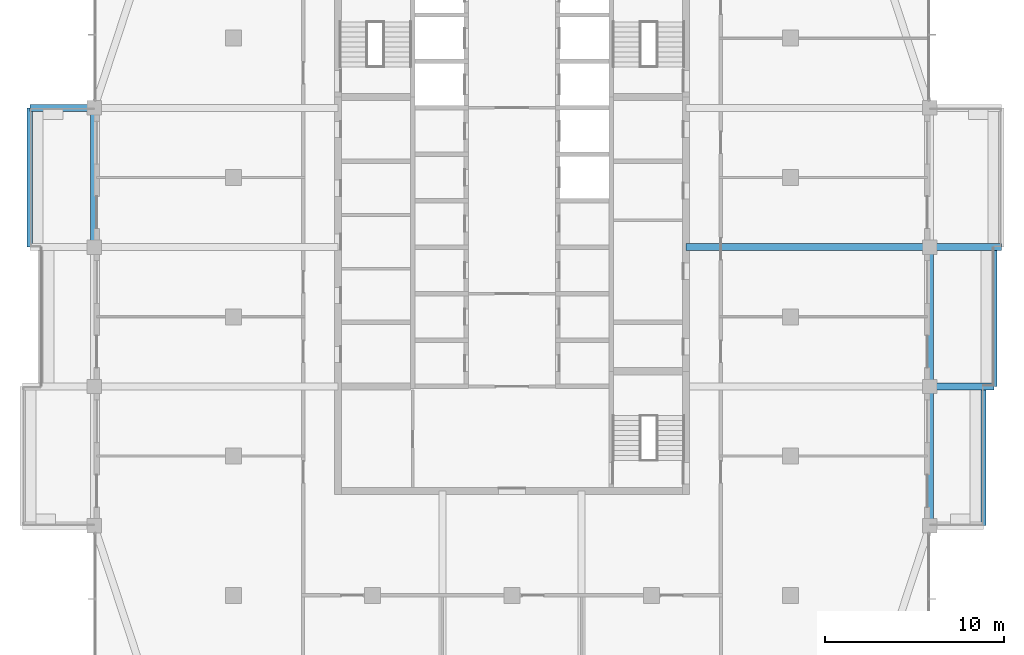
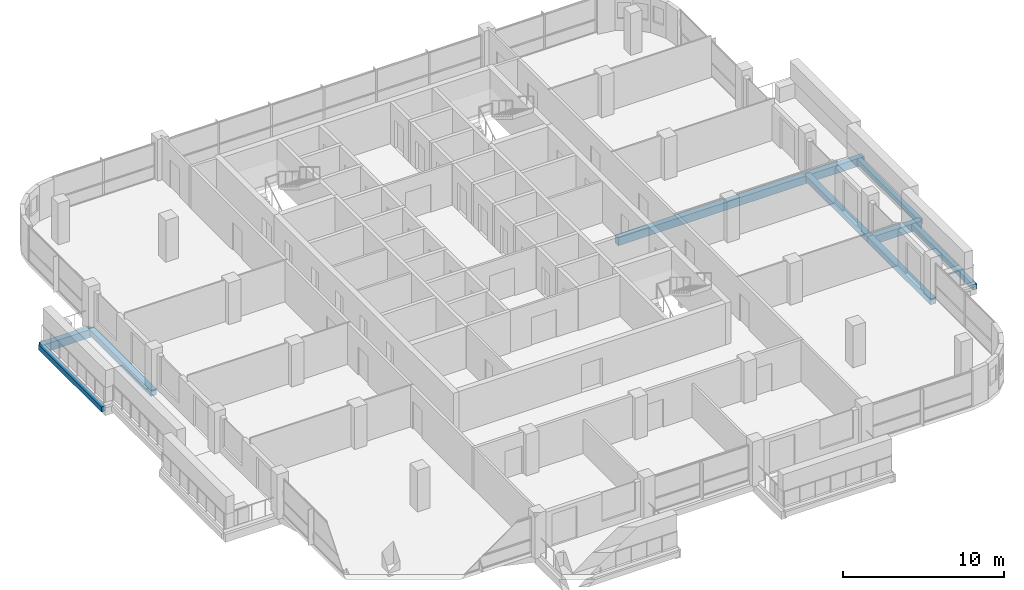
# One storey, part 6 of 22: 10 beams.
"""IFC4 building model written with IfcOpenShell, lengths in metres."""

from ifc_helpers import new_model, si_unit, direction, frame, origin, origin_2d, place, context, subcontext, project, spatial, rectangle, extrude, material, material_profile, profile_set, type_object, element, save


model = new_model("IFC4")

# Units and contexts
model_context = context("Model", 3, precision=1e-05, world=origin(), true_north=direction((0.0, 1.0)))
body_context = subcontext(model_context, "Body", "Model", "MODEL_VIEW")
ifc_project = project(units=[si_unit("LENGTHUNIT", "METRE"), si_unit("AREAUNIT", "SQUARE_METRE"), si_unit("VOLUMEUNIT", "CUBIC_METRE"), si_unit("PLANEANGLEUNIT", "RADIAN"), si_unit("MASSUNIT", "GRAM", prefix="KILO")], contexts=[model_context])

# Site, building, storey
site_placement = place(None, origin())
site = spatial("IfcSite", under=ifc_project, at=site_placement, CompositionType="ELEMENT")
building_placement = place(site_placement, origin())
building = spatial("IfcBuilding", under=site, at=building_placement, Name="Ludao Terraces", CompositionType="ELEMENT")
storey_placement = place(building_placement, frame((0.0, 0.0, 200.699951171875)))
storey = spatial("IfcBuildingStorey", under=building, at=storey_placement, Name="L54", CompositionType="ELEMENT", Elevation=200.699951171875)

# Beams
ifc_material = material(Name="Concrete C40", Category="concrete")
ifc_material_profile_1 = material_profile(ifc_material, rectangle(XDim=0.300048828125, YDim=0.39990234375, at=origin_2d()), Name="300 X 400")
ifc_profile_set_1 = profile_set([ifc_material_profile_1], Name="Concrete C40")
beam_type_1 = type_object("IfcBeamType", Name="RC beam 300x400 C40", PredefinedType="BEAM", material=ifc_profile_set_1)
beam_1_placement = place(storey_placement, frame((111.39990234375, 53.300048828125, -0.449951171875), z_axis=(0.0, 1.0, 0.0), x_axis=(-1.0, 0.0, 0.0)))
element("IfcBeam", 1, at=beam_1_placement, inside=storey, type_object=beam_type_1, Name="Balcony edge beam L54 E1", PredefinedType="BEAM", context=body_context, shape_type="SweptSolid", body=[
    extrude(rectangle(XDim=0.300048828125, YDim=0.39990234375, at=origin_2d()), origin(), (0.0, 0.0, 1.0), 7.800048828125),
])
beam_2_placement = place(storey_placement, frame((112.0, 61.10009765625, -0.449951171875), z_axis=(0.0, 1.0, 0.0), x_axis=(-1.0, 0.0, 0.0)))
element("IfcBeam", 2, at=beam_2_placement, inside=storey, type_object=beam_type_1, Name="Balcony edge beam L54 E2", PredefinedType="BEAM", context=body_context, shape_type="SweptSolid", body=[
    extrude(rectangle(XDim=0.300048828125, YDim=0.39990234375, at=origin_2d()), origin(), (0.0, 0.0, 1.0), 7.7998046875),
])
beam_3_placement = place(storey_placement, frame((58.0, 68.89990234375, -0.449951171875), z_axis=(0.0, 1.0, 0.0), x_axis=(-1.0, 0.0, 0.0)))
element("IfcBeam", 3, at=beam_3_placement, inside=storey, type_object=beam_type_1, Name="Balcony edge beam L54 W3", PredefinedType="BEAM", context=body_context, shape_type="SweptSolid", body=[
    extrude(rectangle(XDim=0.300048828125, YDim=0.39990234375, at=origin_2d()), origin(), (0.0, 0.0, 1.0), 7.800048828125),
])
ifc_material_profile_2 = material_profile(ifc_material, rectangle(XDim=0.39990234375, YDim=0.449951171875, at=origin_2d()), Name="400 X 450")
ifc_profile_set_2 = profile_set([ifc_material_profile_2], Name="Concrete C40")
beam_type_2 = type_object("IfcBeamType", Name="RC beam 400x450 C40", PredefinedType="BEAM", material=ifc_profile_set_2)
for number, where, z_axis, x_axis, name in (
    (4, (61.60009765625, 68.89990234375, -0.474853515625), (0.0, 1.0, 0.0), (-1.0, 0.0, 0.0), "Spandrel beam L54 W11"),
    (5, (108.39990234375, 53.300048828125, -0.474853515625), (0.0, 1.0, 0.0), (-1.0, 0.0, 0.0), "Spandrel beam L54 E14"),
):
    element("IfcBeam", number, at=place(storey_placement, frame(where, z_axis=z_axis, x_axis=x_axis)), inside=storey, type_object=beam_type_2, Name=name, PredefinedType="BEAM", context=body_context, shape_type="SweptSolid", body=[
        extrude(rectangle(XDim=0.39990234375, YDim=0.449951171875, at=origin_2d()), origin(), (0.0, 0.0, 1.0), 7.800048828125),
    ])
beam_4_placement = place(storey_placement, frame((108.39990234375, 61.10009765625, -0.474853515625), z_axis=(0.0, 1.0, 0.0), x_axis=(-1.0, 0.0, 0.0)))
element("IfcBeam", 6, at=beam_4_placement, inside=storey, type_object=beam_type_2, Name="Spandrel beam L54 E15", PredefinedType="BEAM", context=body_context, shape_type="SweptSolid", body=[
    extrude(rectangle(XDim=0.39990234375, YDim=0.449951171875, at=origin_2d()), origin(), (0.0, 0.0, 1.0), 7.7998046875),
])
ifc_material_profile_3 = material_profile(ifc_material, rectangle(XDim=0.39990234375, YDim=0.60009765625, at=origin_2d()), Name="400 X 600")
ifc_profile_set_3 = profile_set([ifc_material_profile_3], Name="Concrete C40")
beam_type_3 = type_object("IfcBeamType", Name="RC beam 400x600 C40", PredefinedType="BEAM", material=ifc_profile_set_3)
beam_5_placement = place(storey_placement, frame((108.39990234375, 61.10009765625, -0.550048828125), z_axis=(1.0, 0.0, 0.0), x_axis=(0.0, 1.0, 0.0)))
element("IfcBeam", 7, at=beam_5_placement, inside=storey, type_object=beam_type_3, Name="Balcony beam L54 E611", PredefinedType="BEAM", context=body_context, shape_type="SweptSolid", body=[
    extrude(rectangle(XDim=0.39990234375, YDim=0.60009765625, at=origin_2d()), origin(), (0.0, 0.0, 1.0), 3.60009765625),
])
beam_6_placement = place(storey_placement, frame((94.75, 68.89990234375, -0.550048828125), z_axis=(1.0, 0.0, 0.0), x_axis=(0.0, 1.0, 0.0)))
element("IfcBeam", 8, at=beam_6_placement, inside=storey, type_object=beam_type_3, Name="Balcony beam L54 E689", PredefinedType="BEAM", context=body_context, shape_type="SweptSolid", body=[
    extrude(rectangle(XDim=0.39990234375, YDim=0.60009765625, at=origin_2d()), origin(), (0.0, 0.0, 1.0), 13.64990234375),
])
beam_7_placement = place(storey_placement, frame((108.39990234375, 68.89990234375, -0.550048828125), z_axis=(1.0, 0.0, 0.0), x_axis=(0.0, 1.0, 0.0)))
element("IfcBeam", 9, at=beam_7_placement, inside=storey, type_object=beam_type_3, Name="Balcony beam L54 E689", PredefinedType="BEAM", context=body_context, shape_type="SweptSolid", body=[
    extrude(rectangle(XDim=0.39990234375, YDim=0.60009765625, at=origin_2d()), origin(), (0.0, 0.0, 1.0), 4.0),
])
beam_8_placement = place(storey_placement, frame((61.60009765625, 76.699951171875, -0.550048828125), z_axis=(-1.0, 0.0, 0.0), x_axis=(0.0, -1.0, 0.0)))
element("IfcBeam", 10, at=beam_8_placement, inside=storey, type_object=beam_type_3, Name="Balcony beam L54 W767", PredefinedType="BEAM", context=body_context, shape_type="SweptSolid", body=[
    extrude(rectangle(XDim=0.39990234375, YDim=0.60009765625, at=origin_2d()), origin(), (0.0, 0.0, 1.0), 3.60009765625),
])

save(model, "model.ifc")
